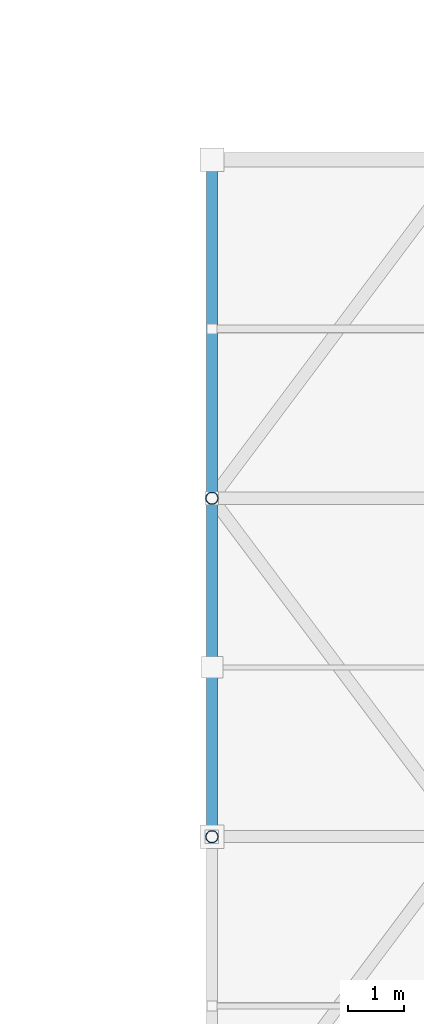
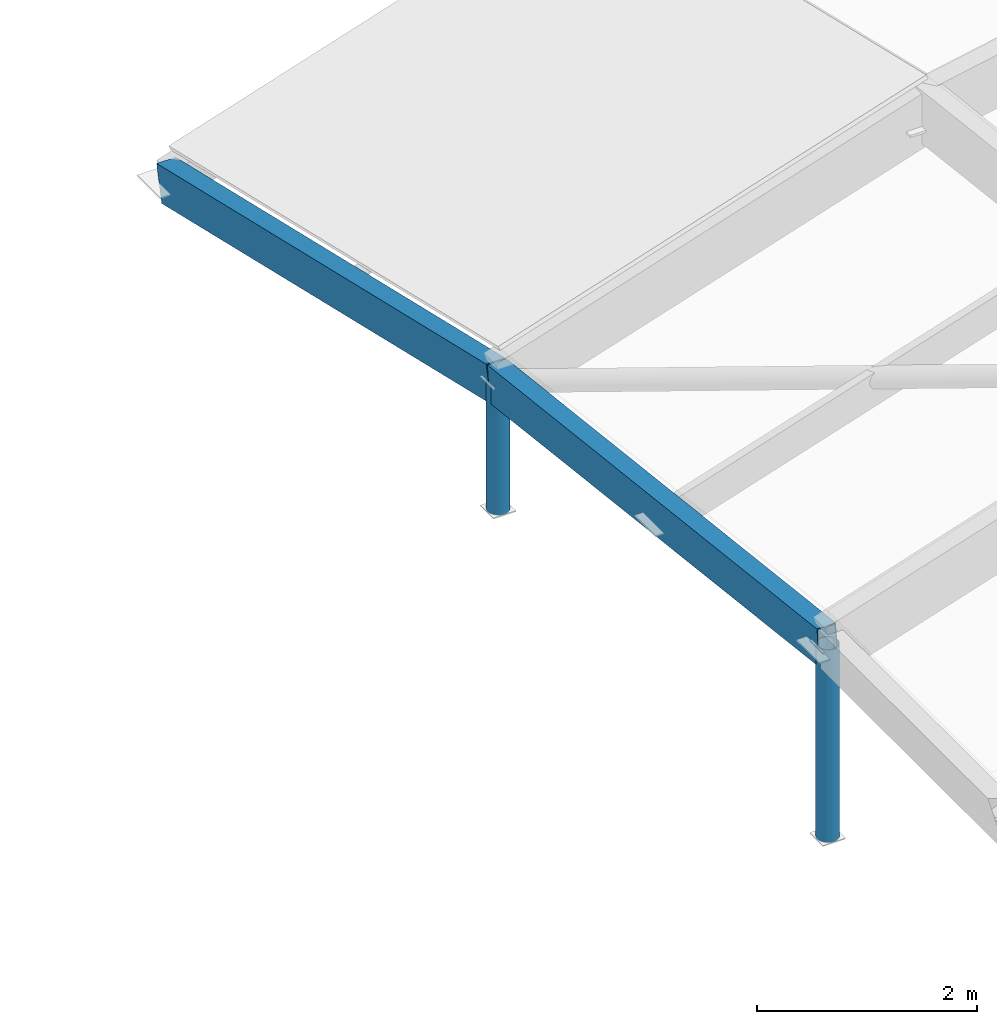
# One storey, part 10 of 81: 4 members.
"""IFC4 building model written with IfcOpenShell, lengths in metres."""

from ifc_helpers import new_model, si_unit, direction, frame, origin, origin_2d, place, context, subcontext, project, spatial, hollow_rectangle, hollow_circle, extrude, material, material_profile, profile_set, type_object, element, save


model = new_model("IFC4")

# Units and contexts
model_context = context("Model", 3, precision=1e-05, world=origin(), true_north=direction((0.0, 1.0)))
body_context = subcontext(model_context, "Body", "Model", "MODEL_VIEW")
ifc_project = project(units=[si_unit("LENGTHUNIT", "METRE"), si_unit("AREAUNIT", "SQUARE_METRE"), si_unit("VOLUMEUNIT", "CUBIC_METRE"), si_unit("PLANEANGLEUNIT", "RADIAN"), si_unit("MASSUNIT", "GRAM", prefix="KILO")], contexts=[model_context])

# Site, building, storey
site_placement = place(None, origin())
site = spatial("IfcSite", under=ifc_project, at=site_placement, CompositionType="ELEMENT")
building_placement = place(site_placement, origin())
building = spatial("IfcBuilding", under=site, at=building_placement, Name="Marnridge Secondary College", CompositionType="ELEMENT")
storey_placement = place(building_placement, frame((0.0, 0.0, 8.5)))
storey = spatial("IfcBuildingStorey", under=building, at=storey_placement, Name="L02", CompositionType="ELEMENT", Elevation=8.5)

# Members
ifc_material_1 = material(Name="Cold-formed steel Grade C350L0 (AS/NZS 1163, fy = 350 MPa)", Category="steel")
ifc_material_profile_1 = material_profile(ifc_material_1, hollow_circle(Radius=0.109619140625, WallThickness=0.00830078125, at=origin_2d()), Name="219.1x8.2CHS")
ifc_profile_set_1 = profile_set([ifc_material_profile_1], Name="Cold-formed steel Grade C350L0 (AS/NZS 1163, fy = 350 MPa)")
member_type_1 = type_object("IfcMemberType", Name="MB-GS-CHS219", PredefinedType="BRACE", material=ifc_profile_set_1)
member_1_placement = place(storey_placement, frame((63.0, 18.0, -0.010009765625), z_axis=(0.0, 0.0, 1.0), x_axis=(1.0, 0.0, 0.0)))
element("IfcMember", 1, at=member_1_placement, inside=storey, type_object=member_type_1, Name="Gridshell boundary post GSP-0067", PredefinedType="BRACE", context=body_context, shape_type="SweptSolid", body=[
    extrude(hollow_circle(Radius=0.109619140625, WallThickness=0.00830078125, at=origin_2d()), origin(), (0.0, 0.0, 1.0), 2.14208984375),
])
member_2_placement = place(storey_placement, frame((63.0, 24.0, -0.010009765625), z_axis=(0.0, 0.0, 1.0), x_axis=(1.0, 0.0, 0.0)))
element("IfcMember", 2, at=member_2_placement, inside=storey, type_object=member_type_1, Name="Gridshell boundary post GSP-0068", PredefinedType="BRACE", context=body_context, shape_type="SweptSolid", body=[
    extrude(hollow_circle(Radius=0.109619140625, WallThickness=0.00830078125, at=origin_2d()), origin(), (0.0, 0.0, 1.0), 1.43798828125),
])
ifc_material_2 = material(Name="Cold-formed steel Grade C350L0 (AS/NZS 1163, fy = 350 MPa)", Category="steel")
ifc_material_profile_2 = material_profile(ifc_material_2, hollow_rectangle(XDim=0.199951171875, YDim=0.39990234375, WallThickness=0.010009765625, at=origin_2d()), Name="400x200x10.0RHS")
ifc_profile_set_2 = profile_set([ifc_material_profile_2], Name="Cold-formed steel Grade C350L0 (AS/NZS 1163, fy = 350 MPa)")
member_type_2 = type_object("IfcMemberType", Name="MB-GS-RHS400", PredefinedType="CHORD", material=ifc_profile_set_2)
member_3_placement = place(storey_placement, frame((63.0, 18.0, 2.112060546875), z_axis=(0.0, 0.993184767812, -0.116550491145), x_axis=(-1.0, 0.0, 0.0)))
element("IfcMember", 3, at=member_3_placement, inside=storey, type_object=member_type_2, Name="Gridshell member GR-0143", PredefinedType="CHORD", context=body_context, shape_type="SweptSolid", body=[
    extrude(hollow_rectangle(XDim=0.199951171875, YDim=0.39990234375, WallThickness=0.010009765625, at=origin_2d()), origin(), (0.0, 0.0, 1.0), 6.041259765625),
])
member_4_placement = place(storey_placement, frame((63.0, 24.0, 1.407958984375), z_axis=(0.0, 0.973554667504, -0.228454173482), x_axis=(-1.0, 0.0, 0.0)))
element("IfcMember", 4, at=member_4_placement, inside=storey, type_object=member_type_2, Name="Gridshell member GR-0144", PredefinedType="CHORD", context=body_context, shape_type="SweptSolid", body=[
    extrude(hollow_rectangle(XDim=0.199951171875, YDim=0.39990234375, WallThickness=0.010009765625, at=origin_2d()), origin(), (0.0, 0.0, 1.0), 6.1630859375),
])

save(model, "model.ifc")
